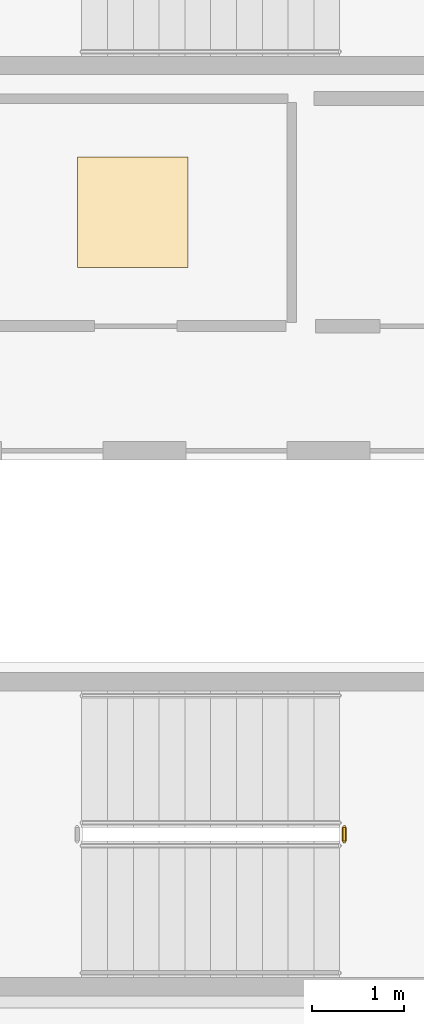
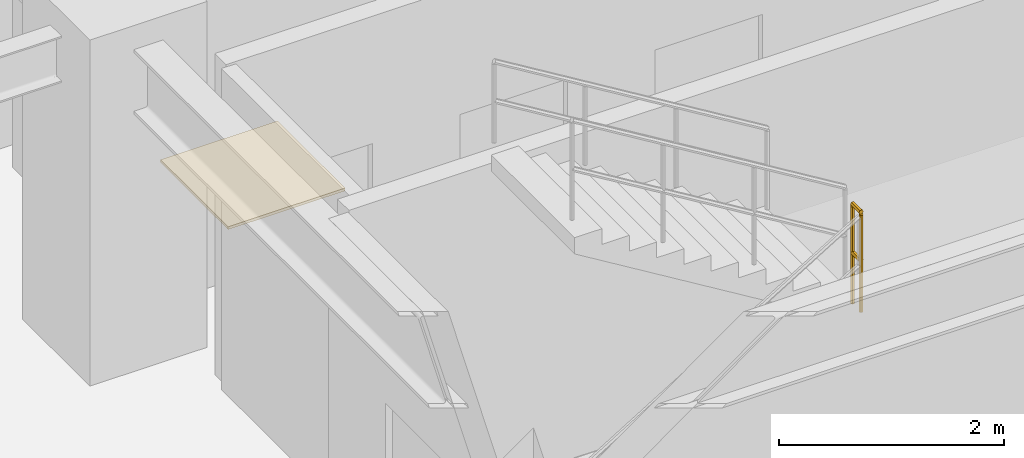
# One storey, part 26 of 28: 1 covering, 1 railing.
"""IFC4 building model written with IfcOpenShell, lengths in metres."""

import ifcopenshell
import ifcopenshell.guid

model = None  # the IFC model being written
_history = None  # IfcOwnerHistory: only IFC2X3 demands one
_inside = {}  # id of a spatial element -> (the spatial element, [elements in it])
_under = {}  # id of a project, library or spatial element -> (it, [spatial elements below it])
_declared = {}  # id of a project -> (the project, [libraries it declares])
_typed = {}  # id of a type object -> (the type object, [elements of that type])
_made_of = {}  # id of a material, layer set ... -> (it, [elements and type objects made of it])


def new_model(schema):
    """Start an empty IFC model of exactly this schema.

    Asked for "IFC4X3", IfcOpenShell would pick the latest addendum, in which some entities
    have other attributes; the version numbers below select the first issue.
    IFC2X3 requires an IfcOwnerHistory on every rooted entity: one is made here for all.
    """
    global model, _history
    if schema == "IFC4X3":
        model = ifcopenshell.file(schema_version=(4, 3, 0, 0))
    else:
        model = ifcopenshell.file(schema=schema)
    _inside.clear()
    _under.clear()
    _declared.clear()
    _typed.clear()
    _made_of.clear()
    _history = None
    if model.schema == "IFC2X3":
        org = make("IfcOrganization", Name="unknown")
        user = make(
            "IfcPersonAndOrganization",
            ThePerson=make("IfcPerson", FamilyName="unknown"),
            TheOrganization=org,
        )
        app = make(
            "IfcApplication",
            ApplicationDeveloper=org,
            Version="unknown",
            ApplicationFullName="unknown",
            ApplicationIdentifier="unknown",
        )
        _history = make(
            "IfcOwnerHistory",
            OwningUser=user,
            OwningApplication=app,
            ChangeAction="ADDED",
            CreationDate=0,
        )
    return model


def make(cls, **values):
    """One entity of the class cls with the attributes given. An attribute that is None is left unset."""
    return model.create_entity(
        cls, **{name: value for name, value in values.items() if value is not None}
    )


def rooted(cls, **values):
    """An entity with a GlobalId (a new one), such as an element, a storey or a relation."""
    return make(cls, GlobalId=ifcopenshell.guid.new(), OwnerHistory=_history, **values)


def si_unit(unit_type, name, prefix=None):
    """IfcSIUnit, for example si_unit("LENGTHUNIT", "METRE", prefix="MILLI")."""
    return make("IfcSIUnit", UnitType=unit_type, Prefix=prefix, Name=name)


def assignment(units):
    """IfcUnitAssignment: the units of a project."""
    return None if units is None else make("IfcUnitAssignment", Units=units)


def point(xyz):
    """IfcCartesianPoint."""
    return None if xyz is None else make("IfcCartesianPoint", Coordinates=xyz)


def direction(xyz):
    """IfcDirection."""
    return None if xyz is None else make("IfcDirection", DirectionRatios=xyz)


def frame(location, z_axis=None, x_axis=None):
    """IfcAxis2Placement3D, a coordinate frame: its origin and axes. An axis left out is left unset."""
    return make(
        "IfcAxis2Placement3D",
        Location=point(location),
        Axis=direction(z_axis),
        RefDirection=direction(x_axis),
    )


def frame_2d(location, x_axis=None):
    """IfcAxis2Placement2D, a coordinate frame in the plane: its origin and x axis."""
    return make(
        "IfcAxis2Placement2D", Location=point(location), RefDirection=direction(x_axis)
    )


def origin():
    """The frame at (0, 0, 0) with its axes left unset."""
    return frame((0.0, 0.0, 0.0))


def origin_2d():
    """The frame at (0, 0) in the plane with its x axis left unset."""
    return frame_2d((0.0, 0.0))


def place(relative_to, where):
    """IfcLocalPlacement: puts the frame where relative to a parent placement (None: the world)."""
    return make(
        "IfcLocalPlacement", PlacementRelTo=relative_to, RelativePlacement=where
    )


def context(
    kind, dimensions, precision=None, world=None, true_north=None, identifier=None
):
    """IfcGeometricRepresentationContext, for example the 3D "Model" context."""
    return make(
        "IfcGeometricRepresentationContext",
        ContextIdentifier=identifier,
        ContextType=kind,
        CoordinateSpaceDimension=dimensions,
        Precision=precision,
        WorldCoordinateSystem=world,
        TrueNorth=true_north,
    )


def subcontext(parent, identifier, kind, view, scale=None):
    """IfcGeometricRepresentationSubContext, for example "Body" below "Model"."""
    return make(
        "IfcGeometricRepresentationSubContext",
        ContextIdentifier=identifier,
        ContextType=kind,
        ParentContext=parent,
        TargetScale=scale,
        TargetView=view,
    )


def project(units=None, contexts=None):
    """IfcProject with its units and contexts."""
    return rooted(
        "IfcProject",
        Name="project",
        RepresentationContexts=contexts,
        UnitsInContext=assignment(units),
    )


def spatial(cls, under=None, at=None, **own):
    """A site, building, storey or space (cls), placed at a placement, below another one or the project."""
    s = rooted(cls, ObjectPlacement=at, **own)
    if under is not None:
        _under.setdefault(under.id(), (under, []))[1].append(s)
    return s


def polyline(points):
    """IfcPolyline through the points."""
    return make("IfcPolyline", Points=[point(p) for p in points])


def profile(cls, at=None, kind="AREA", **sizes):
    """A parametric profile (cls). Its sizes go by their IFC names, for example OverallWidth=200.0."""
    return make(cls, ProfileType=kind, Position=at, **sizes)


def rectangle(**sizes):
    """IfcRectangleProfileDef."""
    return profile("IfcRectangleProfileDef", **sizes)


def outline(outer, holes=None, kind="AREA"):
    """IfcArbitraryClosedProfileDef: a profile drawn as a closed curve; with holes, ...WithVoids."""
    if holes is None:
        return make("IfcArbitraryClosedProfileDef", ProfileType=kind, OuterCurve=outer)
    return make(
        "IfcArbitraryProfileDefWithVoids",
        ProfileType=kind,
        OuterCurve=outer,
        InnerCurves=holes,
    )


def extrude(swept, where, along, depth):
    """IfcExtrudedAreaSolid: the profile swept, set in the frame where, extruded along a direction by depth."""
    return make(
        "IfcExtrudedAreaSolid",
        SweptArea=swept,
        Position=where,
        ExtrudedDirection=direction(along),
        Depth=depth,
    )


def shape(context_of_items, identifier, shape_type, items):
    """IfcShapeRepresentation: the items that make up one representation, for example the "Body"."""
    return make(
        "IfcShapeRepresentation",
        ContextOfItems=context_of_items,
        RepresentationIdentifier=identifier,
        RepresentationType=shape_type,
        Items=items,
    )


def source(mapping_origin, context_of_items, identifier, shape_type, items):
    """IfcRepresentationMap: a shape defined once, which mapped items show again and again."""
    return make(
        "IfcRepresentationMap",
        MappingOrigin=mapping_origin,
        MappedRepresentation=shape(context_of_items, identifier, shape_type, items),
    )


def transform(
    local_origin,
    x_axis=None,
    y_axis=None,
    z_axis=None,
    scale=None,
    scale2=None,
    scale3=None,
    uniform=True,
):
    """IfcCartesianTransformationOperator3D, or its non-uniform kind. x_axis, y_axis, z_axis: its Axis1, 2, 3."""
    if uniform:
        return make(
            "IfcCartesianTransformationOperator3D",
            Axis1=direction(x_axis),
            Axis2=direction(y_axis),
            LocalOrigin=point(local_origin),
            Scale=scale,
            Axis3=direction(z_axis),
        )
    return make(
        "IfcCartesianTransformationOperator3DnonUniform",
        Axis1=direction(x_axis),
        Axis2=direction(y_axis),
        LocalOrigin=point(local_origin),
        Scale=scale,
        Axis3=direction(z_axis),
        Scale2=scale2,
        Scale3=scale3,
    )


def mapped(mapping_source, mapping_target):
    """IfcMappedItem: shows the shape of a source again, moved by a transform."""
    return make(
        "IfcMappedItem", MappingSource=mapping_source, MappingTarget=mapping_target
    )


def material(Name=None, Category=None):
    """IfcMaterial."""
    return make("IfcMaterial", Name=Name, Category=Category)


def layer(
    of_material, thickness, ventilated=None, Name=None, Category=None, Priority=None
):
    """IfcMaterialLayer: one layer of a wall or slab, of a material (None: an air gap)."""
    return make(
        "IfcMaterialLayer",
        Material=of_material,
        LayerThickness=thickness,
        IsVentilated=ventilated,
        Name=Name,
        Category=Category,
        Priority=Priority,
    )


def layer_set(layers, Name=None):
    """IfcMaterialLayerSet."""
    return make("IfcMaterialLayerSet", MaterialLayers=layers, LayerSetName=Name)


def made_of(thing, what):
    """Note that an element or type object is made of a material, layer set ...; save() writes the relation."""
    if what is not None:
        _made_of.setdefault(what.id(), (what, []))[1].append(thing)
    return thing


def type_object(cls, material=None, **own):
    """A type object (cls), such as IfcWallType, which elements share."""
    return made_of(rooted(cls, **own), material)


def element(
    cls,
    number,
    at=None,
    inside=None,
    cuts=None,
    type_object=None,
    material=None,
    context=None,
    identifier="Body",
    shape_type=None,
    held_by="IfcProductDefinitionShape",
    body=None,
    shapes=None,
    **own,
):
    """One element of the class cls, such as IfcWall. Its Tag is "e" and its number.

    at: its placement. inside: the storey or other place that contains it. cuts: it is an
    opening in that element (IfcRelVoidsElement). A single representation is given by context,
    identifier, shape_type and body (its items); several are given by shapes. held_by: the class
    of the entity that holds the representations. save() writes the other relations.
    """
    e = rooted(cls, Tag="e%d" % number, ObjectPlacement=at, **own)
    if body is not None:
        shapes = [shape(context, identifier, shape_type, body)]
    if shapes is not None:
        e.Representation = make(held_by, Representations=shapes)
    if inside is not None:
        _inside.setdefault(inside.id(), (inside, []))[1].append(e)
    if cuts is not None:
        rooted(
            "IfcRelVoidsElement", RelatingBuildingElement=cuts, RelatedOpeningElement=e
        )
    if type_object is not None:
        _typed.setdefault(type_object.id(), (type_object, []))[1].append(e)
    return made_of(e, material)


def aggregate(whole, parts):
    """IfcRelAggregates: a whole, such as a stair, and the parts it consists of."""
    return rooted("IfcRelAggregates", RelatingObject=whole, RelatedObjects=parts)


def save(model, path):
    """Write the relations noted so far, then the file.

    IfcRelAggregates (storeys below a building ...), IfcRelContainedInSpatialStructure (elements
    in a storey), IfcRelDefinesByType, IfcRelAssociatesMaterial and IfcRelDeclares: one each for
    every whole, place, type object, material and project.
    """
    for whole, parts in _under.values():
        aggregate(whole, parts)
    for where, things in _inside.values():
        rooted(
            "IfcRelContainedInSpatialStructure",
            RelatedElements=things,
            RelatingStructure=where,
        )
    for kind, things in _typed.values():
        rooted("IfcRelDefinesByType", RelatedObjects=things, RelatingType=kind)
    for what, things in _made_of.values():
        rooted("IfcRelAssociatesMaterial", RelatedObjects=things, RelatingMaterial=what)
    for by, libraries in _declared.values():
        rooted("IfcRelDeclares", RelatingContext=by, RelatedDefinitions=libraries)
    model.write(path)


model = new_model("IFC4")

# Units and contexts
model_context = context("Model", 3, precision=1e-05, world=origin(), true_north=direction((0.0, 1.0)))
body_context = subcontext(model_context, "Body", "Model", "MODEL_VIEW")
ifc_project = project(units=[si_unit("LENGTHUNIT", "METRE"), si_unit("AREAUNIT", "SQUARE_METRE"), si_unit("VOLUMEUNIT", "CUBIC_METRE"), si_unit("PLANEANGLEUNIT", "RADIAN"), si_unit("MASSUNIT", "GRAM", prefix="KILO")], contexts=[model_context])

# Site, building, storey
site_placement = place(None, origin())
site = spatial("IfcSite", under=ifc_project, at=site_placement, CompositionType="ELEMENT")
building_placement = place(site_placement, origin())
building = spatial("IfcBuilding", under=site, at=building_placement, Name="Kelanora Arch Commons", CompositionType="ELEMENT")
storey_placement = place(building_placement, frame((0.0, 0.0, 180.60009765625)))
storey = spatial("IfcBuildingStorey", under=building, at=storey_placement, Name="L46", CompositionType="ELEMENT", Elevation=180.60009765625)

# Railing
ifc_material_1 = material(Name="Painted steel stair well guard", Category="steel")
railing_type = type_object("IfcRailingType", Name="RAIL-STAIR-GRD", PredefinedType="GUARDRAIL", material=ifc_material_1)
railing_placement = place(storey_placement, frame((70.570068359375, 52.659912109375, 1.875)))
element("IfcRailing", 1, at=railing_placement, inside=storey, type_object=railing_type, Name="L46 ST-T3 stair guard 2", PredefinedType="GUARDRAIL", context=body_context, shape_type="SweptSolid", body=[
    extrude(outline(polyline([(0.02392578125, 0.0), (0.011962890625, 0.020751953125), (-0.011962890625, 0.020751953125), (-0.02392578125, 0.0), (-0.011962890625, -0.020751953125), (0.011962890625, -0.020751953125), (0.02392578125, 0.0)])), frame((0.0, 0.0, 1.076171875), z_axis=(0.0, 1.0, 0.0), x_axis=(-1.0, 0.0, 0.0)), (0.0, 0.0, 1.0), 0.150146484375),
    extrude(outline(polyline([(0.02392578125, 0.0), (0.011962890625, 0.020751953125), (-0.011962890625, 0.020751953125), (-0.02392578125, 0.0), (-0.011962890625, -0.020751953125), (0.011962890625, -0.020751953125), (0.02392578125, 0.0)])), frame((0.0, 0.0, 0.550048828125), z_axis=(0.0, 1.0, 0.0), x_axis=(-1.0, 0.0, 0.0)), (0.0, 0.0, 1.0), 0.150146484375),
    extrude(outline(polyline([(0.02099609375, 0.0), (0.010498046875, 0.01806640625), (-0.010498046875, 0.01806640625), (-0.02099609375, 0.0), (-0.010498046875, -0.01806640625), (0.010498046875, -0.01806640625), (0.02099609375, 0.0)])), origin(), (0.0, 0.0, 1.0), 1.052001953125),
    extrude(outline(polyline([(0.02099609375, 0.0), (0.010498046875, 0.01806640625), (-0.010498046875, 0.01806640625), (-0.02099609375, 0.0), (-0.010498046875, -0.01806640625), (0.010498046875, -0.01806640625), (0.02099609375, 0.0)])), frame((0.0, 0.150146484375, 0.0)), (0.0, 0.0, 1.0), 1.052001953125),
])

# Covering
ifc_material_2 = material(Name="Polished local granite terrazzo flooring", Category="masonry")
ifc_layer = layer(ifc_material_2, 0.030029296875)
ifc_layer_set = layer_set([ifc_layer], Name="Polished local granite terrazzo flooring")
covering_type = type_object("IfcCoveringType", Name="COV-FLR-TER", PredefinedType="FLOORING", material=ifc_layer_set)
shared_shape = source(origin(), body_context, "Body", "SweptSolid", [
    extrude(rectangle(XDim=1.199951171875, YDim=1.199951171875, at=origin_2d()), origin(), (0.0, 0.0, 1.0), 0.030029296875),
])
covering_placement = place(storey_placement, frame((68.27490234375, 59.485107421875, 0.0), z_axis=(0.0, 0.0, 1.0), x_axis=(1.0, 0.0, 0.0)))
element("IfcCovering", 2, at=covering_placement, inside=storey, type_object=covering_type, Name="Reclaimed Core Quiet Phone Booths L46 Terrazzo Finish", PredefinedType="FLOORING", context=body_context, shape_type="MappedRepresentation", body=[
    mapped(shared_shape, transform((0.0, 0.0, 0.0), scale=1.0)),
])

save(model, "model.ifc")
